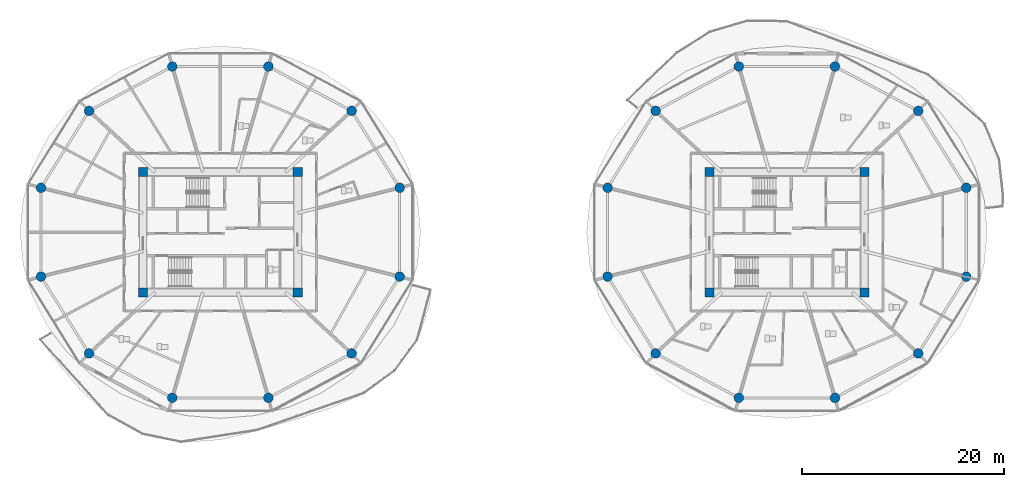
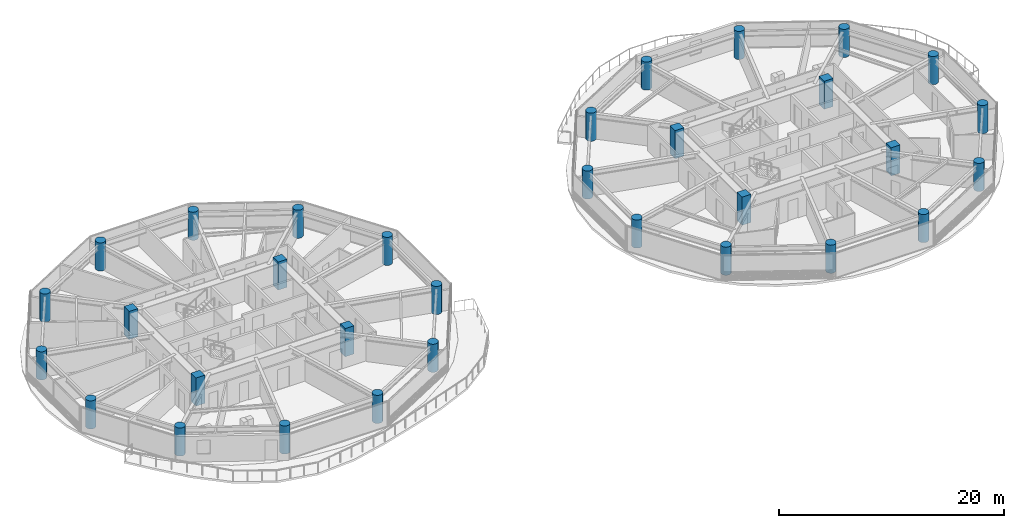
# One storey, part 1 of 27: 32 columns.
"""IFC4 building model written with IfcOpenShell, lengths in metres."""

from ifc_helpers import new_model, si_unit, direction, frame, origin, origin_2d, place, context, subcontext, project, spatial, rectangle, circle, extrude, source, transform, mapped, material, material_profile, profile_set, type_object, type_shapes, element, save


model = new_model("IFC4")

# Units and contexts
model_context = context("Model", 3, precision=1e-05, world=origin(), true_north=direction((0.0, 1.0)))
body_context = subcontext(model_context, "Body", "Model", "MODEL_VIEW")
ifc_project = project(units=[si_unit("LENGTHUNIT", "METRE"), si_unit("AREAUNIT", "SQUARE_METRE"), si_unit("VOLUMEUNIT", "CUBIC_METRE"), si_unit("PLANEANGLEUNIT", "RADIAN"), si_unit("MASSUNIT", "GRAM", prefix="KILO")], contexts=[model_context])

# Site, building, storey
site_placement = place(None, origin())
site = spatial("IfcSite", under=ifc_project, at=site_placement, CompositionType="ELEMENT")
building_placement = place(site_placement, origin())
building = spatial("IfcBuilding", under=site, at=building_placement, Name="Norrkilde Senior Care Towers", CompositionType="ELEMENT")
storey_placement = place(building_placement, frame((0.0, 0.0, 52.10009765625)))
storey = spatial("IfcBuildingStorey", under=building, at=storey_placement, Name="L15", CompositionType="ELEMENT", Elevation=52.10009765625)

# Columns
ifc_material = material(Name="Concrete C60/75", Category="concrete")
ifc_material_profile_1 = material_profile(ifc_material, rectangle(XDim=0.89990234375, YDim=0.89990234375, at=origin_2d()), Name="RC COL 900x900")
ifc_profile_set_1 = profile_set([ifc_material_profile_1], Name="Concrete C60/75")
column_type_1 = type_object("IfcColumnType", Name="Column Core Corner Z1-Z2 900", PredefinedType="COLUMN", material=ifc_profile_set_1)
shared_shape_1 = source(origin(), body_context, "Body", "SweptSolid", [
    extrude(rectangle(XDim=0.89990234375, YDim=0.89990234375, at=origin_2d()), origin(), (0.0, 0.0, 1.0), 3.0498046875),
])
type_shapes(column_type_1, [shared_shape_1])
for number, where, z_axis, x_axis, name in (
    (1, (-35.64990234375, -5.949951171875, 0.0), (0.0, 0.0, 1.0), (1.0, 0.0, 0.0), "L15 Core W Corner Column 1"),
    (2, (-20.35009765625, -5.949951171875, 0.0), (0.0, 0.0, 1.0), (1.0, 0.0, 0.0), "L15 Core W Corner Column 2"),
    (3, (-20.35009765625, 5.949951171875, 0.0), (0.0, 0.0, 1.0), (1.0, 0.0, 0.0), "L15 Core W Corner Column 3"),
    (4, (-35.64990234375, 5.949951171875, 0.0), (0.0, 0.0, 1.0), (1.0, 0.0, 0.0), "L15 Core W Corner Column 4"),
    (5, (20.35009765625, -5.949951171875, 0.0), (0.0, 0.0, 1.0), (1.0, 0.0, 0.0), "L15 Core E Corner Column 1"),
    (6, (35.64990234375, -5.949951171875, 0.0), (0.0, 0.0, 1.0), (1.0, 0.0, 0.0), "L15 Core E Corner Column 2"),
    (7, (35.64990234375, 5.949951171875, 0.0), (0.0, 0.0, 1.0), (1.0, 0.0, 0.0), "L15 Core E Corner Column 3"),
    (8, (20.35009765625, 5.949951171875, 0.0), (0.0, 0.0, 1.0), (1.0, 0.0, 0.0), "L15 Core E Corner Column 4"),
):
    element("IfcColumn", number, at=place(storey_placement, frame(where, z_axis=z_axis, x_axis=x_axis)), inside=storey, type_object=column_type_1, Name=name, PredefinedType="COLUMN", context=body_context, shape_type="MappedRepresentation", body=[
        mapped(shared_shape_1, transform((0.0, 0.0, 0.0), x_axis=(1.0, 0.0, 0.0), y_axis=(0.0, 1.0, 0.0), z_axis=(0.0, 0.0, 1.0), scale=1.0)),
    ])
ifc_material_profile_2 = material_profile(ifc_material, circle(Radius=0.47509765625, at=origin_2d()), Name="RC CIR 950")
ifc_profile_set_2 = profile_set([ifc_material_profile_2], Name="Concrete C60/75")
column_type_2 = type_object("IfcColumnType", Name="Column Perimeter Z1 950", PredefinedType="COLUMN", material=ifc_profile_set_2)
shared_shape_2 = source(origin(), body_context, "Body", "SweptSolid", [
    extrude(circle(Radius=0.47509765625, at=origin_2d()), origin(), (0.0, 0.0, 1.0), 3.0498046875),
])
type_shapes(column_type_2, [shared_shape_2])
for number, where, z_axis, x_axis, name in (
    (9, (-10.275146484375, 4.386962890625, 0.0), (0.0, 0.0, 1.0), (1.0, 0.0, 0.0), "L15 Drum W Perimeter Column 01"),
    (10, (-15.024658203125, 11.9853515625, 0.0), (0.0, 0.0, 1.0), (1.0, 0.0, 0.0), "L15 Drum W Perimeter Column 02"),
    (11, (-23.250732421875, 16.37255859375, 0.0), (0.0, 0.0, 1.0), (1.0, 0.0, 0.0), "L15 Drum W Perimeter Column 03"),
    (12, (-32.749267578125, 16.37255859375, 0.0), (0.0, 0.0, 1.0), (1.0, 0.0, 0.0), "L15 Drum W Perimeter Column 04"),
    (13, (-40.975341796875, 11.9853515625, 0.0), (0.0, 0.0, 1.0), (1.0, 0.0, 0.0), "L15 Drum W Perimeter Column 05"),
    (14, (-45.724853515625, 4.386962890625, 0.0), (0.0, 0.0, 1.0), (1.0, 0.0, 0.0), "L15 Drum W Perimeter Column 06"),
    (15, (-45.724853515625, -4.386962890625, 0.0), (0.0, 0.0, 1.0), (1.0, 0.0, 0.0), "L15 Drum W Perimeter Column 07"),
    (16, (-40.975341796875, -11.9853515625, 0.0), (0.0, 0.0, 1.0), (1.0, 0.0, 0.0), "L15 Drum W Perimeter Column 08"),
    (17, (-32.749267578125, -16.37255859375, 0.0), (0.0, 0.0, 1.0), (1.0, 0.0, 0.0), "L15 Drum W Perimeter Column 09"),
    (18, (-23.250732421875, -16.37255859375, 0.0), (0.0, 0.0, 1.0), (1.0, 0.0, 0.0), "L15 Drum W Perimeter Column 10"),
    (19, (-15.024658203125, -11.9853515625, 0.0), (0.0, 0.0, 1.0), (1.0, 0.0, 0.0), "L15 Drum W Perimeter Column 11"),
    (20, (-10.275146484375, -4.386962890625, 0.0), (0.0, 0.0, 1.0), (1.0, 0.0, 0.0), "L15 Drum W Perimeter Column 12"),
    (21, (45.724853515625, 4.386962890625, 0.0), (0.0, 0.0, 1.0), (1.0, 0.0, 0.0), "L15 Drum E Perimeter Column 01"),
    (22, (40.975341796875, 11.9853515625, 0.0), (0.0, 0.0, 1.0), (1.0, 0.0, 0.0), "L15 Drum E Perimeter Column 02"),
    (23, (32.749267578125, 16.37255859375, 0.0), (0.0, 0.0, 1.0), (1.0, 0.0, 0.0), "L15 Drum E Perimeter Column 03"),
    (24, (23.250732421875, 16.37255859375, 0.0), (0.0, 0.0, 1.0), (1.0, 0.0, 0.0), "L15 Drum E Perimeter Column 04"),
    (25, (15.024658203125, 11.9853515625, 0.0), (0.0, 0.0, 1.0), (1.0, 0.0, 0.0), "L15 Drum E Perimeter Column 05"),
    (26, (10.275146484375, 4.386962890625, 0.0), (0.0, 0.0, 1.0), (1.0, 0.0, 0.0), "L15 Drum E Perimeter Column 06"),
    (27, (10.275146484375, -4.386962890625, 0.0), (0.0, 0.0, 1.0), (1.0, 0.0, 0.0), "L15 Drum E Perimeter Column 07"),
    (28, (15.024658203125, -11.9853515625, 0.0), (0.0, 0.0, 1.0), (1.0, 0.0, 0.0), "L15 Drum E Perimeter Column 08"),
    (29, (23.250732421875, -16.37255859375, 0.0), (0.0, 0.0, 1.0), (1.0, 0.0, 0.0), "L15 Drum E Perimeter Column 09"),
    (30, (32.749267578125, -16.37255859375, 0.0), (0.0, 0.0, 1.0), (1.0, 0.0, 0.0), "L15 Drum E Perimeter Column 10"),
    (31, (40.975341796875, -11.9853515625, 0.0), (0.0, 0.0, 1.0), (1.0, 0.0, 0.0), "L15 Drum E Perimeter Column 11"),
    (32, (45.724853515625, -4.386962890625, 0.0), (0.0, 0.0, 1.0), (1.0, 0.0, 0.0), "L15 Drum E Perimeter Column 12"),
):
    element("IfcColumn", number, at=place(storey_placement, frame(where, z_axis=z_axis, x_axis=x_axis)), inside=storey, type_object=column_type_2, Name=name, PredefinedType="COLUMN", context=body_context, shape_type="MappedRepresentation", body=[
        mapped(shared_shape_2, transform((0.0, 0.0, 0.0), x_axis=(1.0, 0.0, 0.0), y_axis=(0.0, 1.0, 0.0), z_axis=(0.0, 0.0, 1.0), scale=1.0)),
    ])

save(model, "model.ifc")
